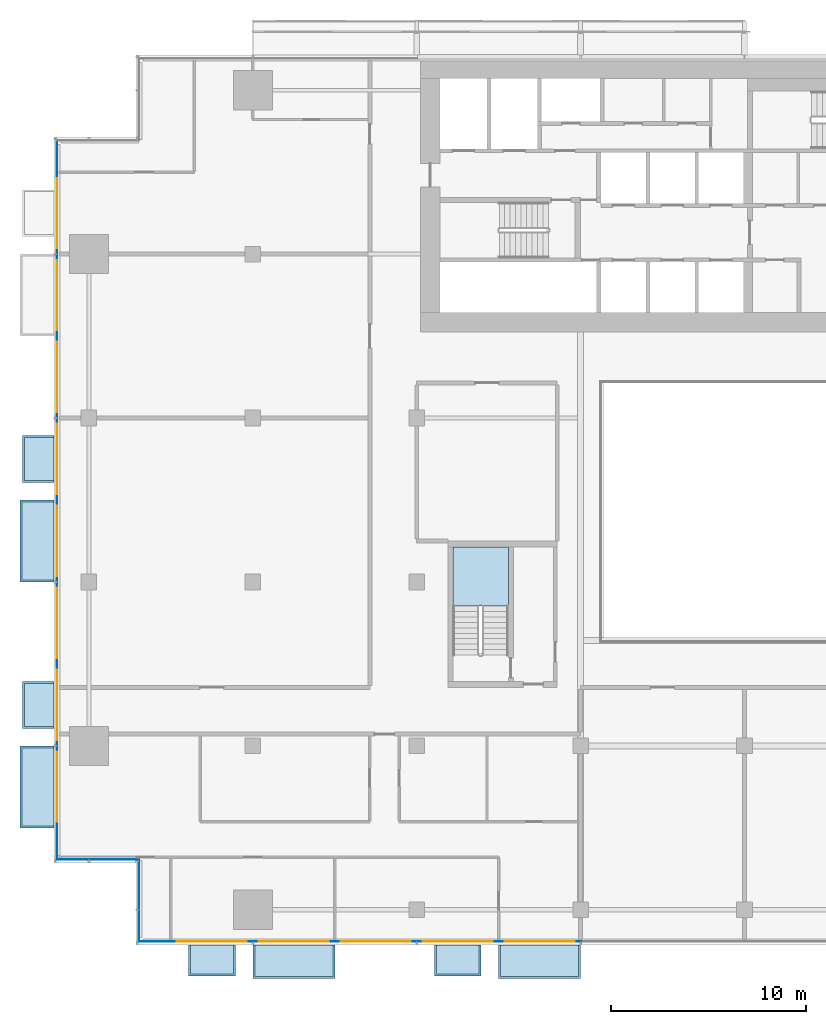
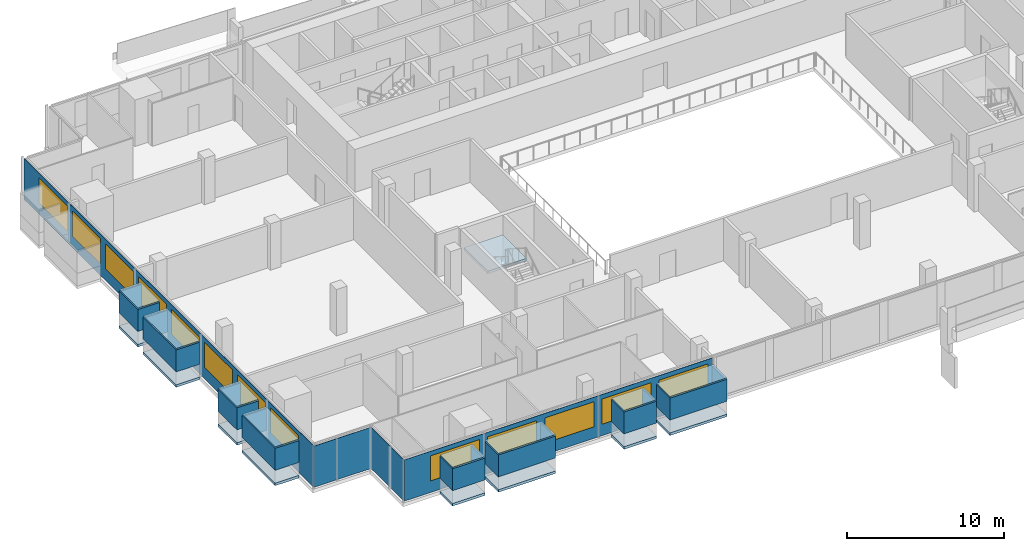
# One storey, part 14 of 26: 20 plates, 13 windows, 9 slabs, 13 openings, 5 elements without a shape of their own.
"""IFC4 building model written with IfcOpenShell, lengths in metres."""

from ifc_helpers import new_model, si_unit, direction, frame, frame_2d, origin, place, context, subcontext, project, spatial, polyline, rectangle, outline, extrude, material, layer, layer_set, type_object, element, fill, aggregate, save


model = new_model("IFC4")

# Units and contexts
model_context = context("Model", 3, precision=1e-05, world=origin(), true_north=direction((0.0, 1.0)))
body_context = subcontext(model_context, "Body", "Model", "MODEL_VIEW")
ifc_project = project(units=[si_unit("LENGTHUNIT", "METRE"), si_unit("AREAUNIT", "SQUARE_METRE"), si_unit("VOLUMEUNIT", "CUBIC_METRE"), si_unit("PLANEANGLEUNIT", "RADIAN"), si_unit("MASSUNIT", "GRAM", prefix="KILO")], contexts=[model_context])

# Site, building, storey
site_placement = place(None, origin())
site = spatial("IfcSite", under=ifc_project, at=site_placement, CompositionType="ELEMENT")
building_placement = place(site_placement, origin())
building = spatial("IfcBuilding", under=site, at=building_placement, Name="Saffron Gate Tower", CompositionType="ELEMENT")
storey_placement = place(building_placement, frame((0.0, 0.0, 102.449951171875)))
storey = spatial("IfcBuildingStorey", under=building, at=storey_placement, Name="L23", CompositionType="ELEMENT", Elevation=102.449951171875)

# Curtain wall, plate, openings, windows
ifc_material_1 = material(Name="Aluminium, bronze anodised", Category="aluminium")
curtain_wall_type_1 = type_object("IfcCurtainWallType", Name="CWS1 curtain wall front facade", PredefinedType="NOTDEFINED", material=ifc_material_1)
curtain_wall_1_placement = place(storey_placement, origin())
curtain_wall_1 = element("IfcCurtainWall", 1, at=curtain_wall_1_placement, inside=storey, type_object=curtain_wall_type_1, Name="CWS1 run 1", PredefinedType="NOTDEFINED")
ifc_material_2 = material(Name="Fritted bronze-tinted laminated glass", Category="glass")
ifc_layer_1 = layer(ifc_material_2, 0.028076171875)
ifc_layer_set_1 = layer_set([ifc_layer_1], Name="CWS1 fixed glass")
plate_type_1 = type_object("IfcPlateType", Name="CWS1 fixed glass", PredefinedType="CURTAIN_PANEL", material=ifc_layer_set_1)
plate_1_placement = place(storey_placement, frame((52.387939453125, 30.174072265625, 0.0), z_axis=(0.0, 0.0, 1.0), x_axis=(1.0, 0.0, 0.0)))
plate_1 = element("IfcPlate", 2, at=plate_1_placement, type_object=plate_type_1, Name="CWS1 glass panel", PredefinedType="CURTAIN_PANEL", context=body_context, shape_type="SweptSolid", body=[
    extrude(rectangle(XDim=22.64208984375, YDim=0.028076171875, at=frame_2d((11.321044921875, 0.0))), origin(), (0.0, 0.0, 1.0), 3.199951171875),
])
opening_1_placement = place(plate_1_placement, frame((1.912109375, 0.0, 0.89990234375)))
opening_1 = element("IfcOpeningElement", 3, at=opening_1_placement, cuts=plate_1, Name="Opening W1", PredefinedType="OPENING", context=body_context, shape_type="SweptSolid", body=[
    extrude(rectangle(XDim=3.60009765625, YDim=1.949951171875, at=frame_2d((1.800048828125, 0.97509765625))), frame((0.0, 0.02392578125, 0.0), z_axis=(0.0, -1.0, 0.0), x_axis=(1.0, 0.0, 0.0)), (0.0, 0.0, 1.0), 0.048095703125),
])
opening_2_placement = place(plate_1_placement, frame((6.112060546875, 0.0, 0.89990234375)))
opening_2 = element("IfcOpeningElement", 4, at=opening_2_placement, cuts=plate_1, Name="Opening W1", PredefinedType="OPENING", context=body_context, shape_type="SweptSolid", body=[
    extrude(rectangle(XDim=3.60009765625, YDim=1.949951171875, at=frame_2d((1.800048828125, 0.97509765625))), frame((0.0, 0.02392578125, 0.0), z_axis=(0.0, -1.0, 0.0), x_axis=(1.0, 0.0, 0.0)), (0.0, 0.0, 1.0), 0.048095703125),
])
opening_3_placement = place(plate_1_placement, frame((10.31201171875, 0.0, 0.89990234375)))
opening_3 = element("IfcOpeningElement", 5, at=opening_3_placement, cuts=plate_1, Name="Opening W1", PredefinedType="OPENING", context=body_context, shape_type="SweptSolid", body=[
    extrude(rectangle(XDim=3.60009765625, YDim=1.949951171875, at=frame_2d((1.800048828125, 0.97509765625))), frame((0.0, 0.02392578125, 0.0), z_axis=(0.0, -1.0, 0.0), x_axis=(1.0, 0.0, 0.0)), (0.0, 0.0, 1.0), 0.048095703125),
])
opening_4_placement = place(plate_1_placement, frame((14.511962890625, 0.0, 0.89990234375)))
opening_4 = element("IfcOpeningElement", 6, at=opening_4_placement, cuts=plate_1, Name="Opening W1", PredefinedType="OPENING", context=body_context, shape_type="SweptSolid", body=[
    extrude(rectangle(XDim=3.60009765625, YDim=1.949951171875, at=frame_2d((1.800048828125, 0.97509765625))), frame((0.0, 0.02392578125, 0.0), z_axis=(0.0, -1.0, 0.0), x_axis=(1.0, 0.0, 0.0)), (0.0, 0.0, 1.0), 0.048095703125),
])
opening_5_placement = place(plate_1_placement, frame((18.7119140625, 0.0, 0.89990234375)))
opening_5 = element("IfcOpeningElement", 7, at=opening_5_placement, cuts=plate_1, Name="Opening W1", PredefinedType="OPENING", context=body_context, shape_type="SweptSolid", body=[
    extrude(rectangle(XDim=3.60009765625, YDim=1.949951171875, at=frame_2d((1.800048828125, 0.97509765625))), frame((0.0, 0.02392578125, 0.0), z_axis=(0.0, -1.0, 0.0), x_axis=(1.0, 0.0, 0.0)), (0.0, 0.0, 1.0), 0.048095703125),
])
ifc_material_3 = material(Name="Fritted bronze-tinted laminated glass in bronze frame", Category="glass")
ifc_layer_2 = layer(ifc_material_3, 0.06005859375)
ifc_layer_set_2 = layer_set([ifc_layer_2], Name="W1 operable panel 3600x1950")
window_type = type_object("IfcWindowType", Name="W1 operable panel 3600x1950", PartitioningType="DOUBLE_PANEL_HORIZONTAL", PredefinedType="WINDOW", material=ifc_layer_set_2)
window_1_placement = place(opening_1_placement, origin())
window_1 = element("IfcWindow", 8, at=window_1_placement, type_object=window_type, Name="W1 operable panel", OverallHeight=1.949951171875, OverallWidth=3.60009765625, PartitioningType="SINGLE_PANEL", PredefinedType="WINDOW", context=body_context, shape_type="SweptSolid", body=[
    extrude(rectangle(XDim=3.60009765625, YDim=1.949951171875, at=frame_2d((1.800048828125, 0.97509765625))), frame((0.0, 0.013671875, 0.0), z_axis=(0.0, -1.0, 0.0), x_axis=(1.0, 0.0, 0.0)), (0.0, 0.0, 1.0), 0.027587890625),
])
fill(opening_1, window_1)
window_2_placement = place(opening_2_placement, origin())
window_2 = element("IfcWindow", 9, at=window_2_placement, type_object=window_type, Name="W1 operable panel", OverallHeight=1.949951171875, OverallWidth=3.60009765625, PartitioningType="SINGLE_PANEL", PredefinedType="WINDOW", context=body_context, shape_type="SweptSolid", body=[
    extrude(rectangle(XDim=3.60009765625, YDim=1.949951171875, at=frame_2d((1.800048828125, 0.97509765625))), frame((0.0, 0.013671875, 0.0), z_axis=(0.0, -1.0, 0.0), x_axis=(1.0, 0.0, 0.0)), (0.0, 0.0, 1.0), 0.027587890625),
])
fill(opening_2, window_2)
window_3_placement = place(opening_3_placement, origin())
window_3 = element("IfcWindow", 10, at=window_3_placement, type_object=window_type, Name="W1 operable panel", OverallHeight=1.949951171875, OverallWidth=3.60009765625, PartitioningType="SINGLE_PANEL", PredefinedType="WINDOW", context=body_context, shape_type="SweptSolid", body=[
    extrude(rectangle(XDim=3.60009765625, YDim=1.949951171875, at=frame_2d((1.800048828125, 0.97509765625))), frame((0.0, 0.013671875, 0.0), z_axis=(0.0, -1.0, 0.0), x_axis=(1.0, 0.0, 0.0)), (0.0, 0.0, 1.0), 0.027587890625),
])
fill(opening_3, window_3)
window_4_placement = place(opening_4_placement, origin())
window_4 = element("IfcWindow", 11, at=window_4_placement, type_object=window_type, Name="W1 operable panel", OverallHeight=1.949951171875, OverallWidth=3.60009765625, PartitioningType="SINGLE_PANEL", PredefinedType="WINDOW", context=body_context, shape_type="SweptSolid", body=[
    extrude(rectangle(XDim=3.60009765625, YDim=1.949951171875, at=frame_2d((1.800048828125, 0.97509765625))), frame((0.0, 0.013671875, 0.0), z_axis=(0.0, -1.0, 0.0), x_axis=(1.0, 0.0, 0.0)), (0.0, 0.0, 1.0), 0.027587890625),
])
fill(opening_4, window_4)
window_5_placement = place(opening_5_placement, origin())
window_5 = element("IfcWindow", 12, at=window_5_placement, type_object=window_type, Name="W1 operable panel", OverallHeight=1.949951171875, OverallWidth=3.60009765625, PartitioningType="SINGLE_PANEL", PredefinedType="WINDOW", context=body_context, shape_type="SweptSolid", body=[
    extrude(rectangle(XDim=3.60009765625, YDim=1.949951171875, at=frame_2d((1.800048828125, 0.97509765625))), frame((0.0, 0.013671875, 0.0), z_axis=(0.0, -1.0, 0.0), x_axis=(1.0, 0.0, 0.0)), (0.0, 0.0, 1.0), 0.027587890625),
])
fill(opening_5, window_5)
aggregate(curtain_wall_1, [plate_1, window_1, window_2, window_3, window_4, window_5])

curtain_wall_type_2 = type_object("IfcCurtainWallType", Name="CWS2 curtain wall side facades", PredefinedType="NOTDEFINED", material=ifc_material_1)
curtain_wall_2_placement = place(storey_placement, origin())
curtain_wall_2 = element("IfcCurtainWall", 13, at=curtain_wall_2_placement, inside=storey, type_object=curtain_wall_type_2, Name="CWS2 run 10", PredefinedType="NOTDEFINED")
ifc_layer_3 = layer(ifc_material_2, 0.028076171875)
ifc_layer_set_3 = layer_set([ifc_layer_3], Name="CWS2 fixed glass")
plate_type_2 = type_object("IfcPlateType", Name="CWS2 fixed glass", PredefinedType="CURTAIN_PANEL", material=ifc_layer_set_3)
plate_2_placement = place(storey_placement, frame((48.174072265625, 71.2119140625, 0.0), z_axis=(0.0, 0.0, 1.0), x_axis=(0.0, -1.0, 0.0)))
plate_2 = element("IfcPlate", 14, at=plate_2_placement, type_object=plate_type_2, Name="CWS2 glass panel", PredefinedType="CURTAIN_PANEL", context=body_context, shape_type="SweptSolid", body=[
    extrude(rectangle(XDim=36.823974609375, YDim=0.028076171875, at=frame_2d((18.412109375, 0.0))), origin(), (0.0, 0.0, 1.0), 3.199951171875),
])
opening_6_placement = place(plate_2_placement, frame((1.912109375, 0.0, 0.89990234375)))
opening_6 = element("IfcOpeningElement", 15, at=opening_6_placement, cuts=plate_2, Name="Opening W1", PredefinedType="OPENING", context=body_context, shape_type="SweptSolid", body=[
    extrude(rectangle(XDim=3.60009765625, YDim=1.949951171875, at=frame_2d((1.800048828125, 0.97509765625))), frame((0.0, 0.02392578125, 0.0), z_axis=(0.0, -1.0, 0.0), x_axis=(1.0, 0.0, 0.0)), (0.0, 0.0, 1.0), 0.048095703125),
])
opening_7_placement = place(plate_2_placement, frame((6.112060546875, 0.0, 0.89990234375)))
opening_7 = element("IfcOpeningElement", 16, at=opening_7_placement, cuts=plate_2, Name="Opening W1", PredefinedType="OPENING", context=body_context, shape_type="SweptSolid", body=[
    extrude(rectangle(XDim=3.60009765625, YDim=1.949951171875, at=frame_2d((1.800048828125, 0.97509765625))), frame((0.0, 0.02392578125, 0.0), z_axis=(0.0, -1.0, 0.0), x_axis=(1.0, 0.0, 0.0)), (0.0, 0.0, 1.0), 0.048095703125),
])
opening_8_placement = place(plate_2_placement, frame((10.31201171875, 0.0, 0.89990234375)))
opening_8 = element("IfcOpeningElement", 17, at=opening_8_placement, cuts=plate_2, Name="Opening W1", PredefinedType="OPENING", context=body_context, shape_type="SweptSolid", body=[
    extrude(rectangle(XDim=3.60009765625, YDim=1.949951171875, at=frame_2d((1.800048828125, 0.97509765625))), frame((0.0, 0.02392578125, 0.0), z_axis=(0.0, -1.0, 0.0), x_axis=(1.0, 0.0, 0.0)), (0.0, 0.0, 1.0), 0.048095703125),
])
opening_9_placement = place(plate_2_placement, frame((14.511962890625, 0.0, 0.89990234375)))
opening_9 = element("IfcOpeningElement", 18, at=opening_9_placement, cuts=plate_2, Name="Opening W1", PredefinedType="OPENING", context=body_context, shape_type="SweptSolid", body=[
    extrude(rectangle(XDim=3.60009765625, YDim=1.949951171875, at=frame_2d((1.800048828125, 0.97509765625))), frame((0.0, 0.02392578125, 0.0), z_axis=(0.0, -1.0, 0.0), x_axis=(1.0, 0.0, 0.0)), (0.0, 0.0, 1.0), 0.048095703125),
])
opening_10_placement = place(plate_2_placement, frame((18.7119140625, 0.0, 0.89990234375)))
opening_10 = element("IfcOpeningElement", 19, at=opening_10_placement, cuts=plate_2, Name="Opening W1", PredefinedType="OPENING", context=body_context, shape_type="SweptSolid", body=[
    extrude(rectangle(XDim=3.60009765625, YDim=1.949951171875, at=frame_2d((1.800048828125, 0.97509765625))), frame((0.0, 0.02392578125, 0.0), z_axis=(0.0, -1.0, 0.0), x_axis=(1.0, 0.0, 0.0)), (0.0, 0.0, 1.0), 0.048095703125),
])
opening_11_placement = place(plate_2_placement, frame((22.912109375, 0.0, 0.89990234375)))
opening_11 = element("IfcOpeningElement", 20, at=opening_11_placement, cuts=plate_2, Name="Opening W1", PredefinedType="OPENING", context=body_context, shape_type="SweptSolid", body=[
    extrude(rectangle(XDim=3.60009765625, YDim=1.949951171875, at=frame_2d((1.800048828125, 0.97509765625))), frame((0.0, 0.02392578125, 0.0), z_axis=(0.0, -1.0, 0.0), x_axis=(1.0, 0.0, 0.0)), (0.0, 0.0, 1.0), 0.048095703125),
])
opening_12_placement = place(plate_2_placement, frame((27.112060546875, 0.0, 0.89990234375)))
opening_12 = element("IfcOpeningElement", 21, at=opening_12_placement, cuts=plate_2, Name="Opening W1", PredefinedType="OPENING", context=body_context, shape_type="SweptSolid", body=[
    extrude(rectangle(XDim=3.60009765625, YDim=1.949951171875, at=frame_2d((1.800048828125, 0.97509765625))), frame((0.0, 0.02392578125, 0.0), z_axis=(0.0, -1.0, 0.0), x_axis=(1.0, 0.0, 0.0)), (0.0, 0.0, 1.0), 0.048095703125),
])
opening_13_placement = place(plate_2_placement, frame((31.31201171875, 0.0, 0.89990234375)))
opening_13 = element("IfcOpeningElement", 22, at=opening_13_placement, cuts=plate_2, Name="Opening W1", PredefinedType="OPENING", context=body_context, shape_type="SweptSolid", body=[
    extrude(rectangle(XDim=3.60009765625, YDim=1.949951171875, at=frame_2d((1.800048828125, 0.97509765625))), frame((0.0, 0.02392578125, 0.0), z_axis=(0.0, -1.0, 0.0), x_axis=(1.0, 0.0, 0.0)), (0.0, 0.0, 1.0), 0.048095703125),
])
window_6_placement = place(opening_6_placement, origin())
window_6 = element("IfcWindow", 23, at=window_6_placement, type_object=window_type, Name="W1 operable panel", OverallHeight=1.949951171875, OverallWidth=3.60009765625, PartitioningType="SINGLE_PANEL", PredefinedType="WINDOW", context=body_context, shape_type="SweptSolid", body=[
    extrude(rectangle(XDim=3.60009765625, YDim=1.949951171875, at=frame_2d((1.800048828125, 0.97509765625))), frame((0.0, 0.013671875, 0.0), z_axis=(0.0, -1.0, 0.0), x_axis=(1.0, 0.0, 0.0)), (0.0, 0.0, 1.0), 0.027587890625),
])
fill(opening_6, window_6)
window_7_placement = place(opening_7_placement, origin())
window_7 = element("IfcWindow", 24, at=window_7_placement, type_object=window_type, Name="W1 operable panel", OverallHeight=1.949951171875, OverallWidth=3.60009765625, PartitioningType="SINGLE_PANEL", PredefinedType="WINDOW", context=body_context, shape_type="SweptSolid", body=[
    extrude(rectangle(XDim=3.60009765625, YDim=1.949951171875, at=frame_2d((1.800048828125, 0.97509765625))), frame((0.0, 0.013671875, 0.0), z_axis=(0.0, -1.0, 0.0), x_axis=(1.0, 0.0, 0.0)), (0.0, 0.0, 1.0), 0.027587890625),
])
fill(opening_7, window_7)
window_8_placement = place(opening_8_placement, origin())
window_8 = element("IfcWindow", 25, at=window_8_placement, type_object=window_type, Name="W1 operable panel", OverallHeight=1.949951171875, OverallWidth=3.60009765625, PartitioningType="SINGLE_PANEL", PredefinedType="WINDOW", context=body_context, shape_type="SweptSolid", body=[
    extrude(rectangle(XDim=3.60009765625, YDim=1.949951171875, at=frame_2d((1.800048828125, 0.97509765625))), frame((0.0, 0.013671875, 0.0), z_axis=(0.0, -1.0, 0.0), x_axis=(1.0, 0.0, 0.0)), (0.0, 0.0, 1.0), 0.027587890625),
])
fill(opening_8, window_8)
window_9_placement = place(opening_9_placement, origin())
window_9 = element("IfcWindow", 26, at=window_9_placement, type_object=window_type, Name="W1 operable panel", OverallHeight=1.949951171875, OverallWidth=3.60009765625, PartitioningType="SINGLE_PANEL", PredefinedType="WINDOW", context=body_context, shape_type="SweptSolid", body=[
    extrude(rectangle(XDim=3.60009765625, YDim=1.949951171875, at=frame_2d((1.800048828125, 0.97509765625))), frame((0.0, 0.013671875, 0.0), z_axis=(0.0, -1.0, 0.0), x_axis=(1.0, 0.0, 0.0)), (0.0, 0.0, 1.0), 0.027587890625),
])
fill(opening_9, window_9)
window_10_placement = place(opening_10_placement, origin())
window_10 = element("IfcWindow", 27, at=window_10_placement, type_object=window_type, Name="W1 operable panel", OverallHeight=1.949951171875, OverallWidth=3.60009765625, PartitioningType="SINGLE_PANEL", PredefinedType="WINDOW", context=body_context, shape_type="SweptSolid", body=[
    extrude(rectangle(XDim=3.60009765625, YDim=1.949951171875, at=frame_2d((1.800048828125, 0.97509765625))), frame((0.0, 0.013671875, 0.0), z_axis=(0.0, -1.0, 0.0), x_axis=(1.0, 0.0, 0.0)), (0.0, 0.0, 1.0), 0.027587890625),
])
fill(opening_10, window_10)
window_11_placement = place(opening_11_placement, origin())
window_11 = element("IfcWindow", 28, at=window_11_placement, type_object=window_type, Name="W1 operable panel", OverallHeight=1.949951171875, OverallWidth=3.60009765625, PartitioningType="SINGLE_PANEL", PredefinedType="WINDOW", context=body_context, shape_type="SweptSolid", body=[
    extrude(rectangle(XDim=3.60009765625, YDim=1.949951171875, at=frame_2d((1.800048828125, 0.97509765625))), frame((0.0, 0.013671875, 0.0), z_axis=(0.0, -1.0, 0.0), x_axis=(1.0, 0.0, 0.0)), (0.0, 0.0, 1.0), 0.027587890625),
])
fill(opening_11, window_11)
window_12_placement = place(opening_12_placement, origin())
window_12 = element("IfcWindow", 29, at=window_12_placement, type_object=window_type, Name="W1 operable panel", OverallHeight=1.949951171875, OverallWidth=3.60009765625, PartitioningType="SINGLE_PANEL", PredefinedType="WINDOW", context=body_context, shape_type="SweptSolid", body=[
    extrude(rectangle(XDim=3.60009765625, YDim=1.949951171875, at=frame_2d((1.800048828125, 0.97509765625))), frame((0.0, 0.013671875, 0.0), z_axis=(0.0, -1.0, 0.0), x_axis=(1.0, 0.0, 0.0)), (0.0, 0.0, 1.0), 0.027587890625),
])
fill(opening_12, window_12)
window_13_placement = place(opening_13_placement, origin())
window_13 = element("IfcWindow", 30, at=window_13_placement, type_object=window_type, Name="W1 operable panel", OverallHeight=1.949951171875, OverallWidth=3.60009765625, PartitioningType="SINGLE_PANEL", PredefinedType="WINDOW", context=body_context, shape_type="SweptSolid", body=[
    extrude(rectangle(XDim=3.60009765625, YDim=1.949951171875, at=frame_2d((1.800048828125, 0.97509765625))), frame((0.0, 0.013671875, 0.0), z_axis=(0.0, -1.0, 0.0), x_axis=(1.0, 0.0, 0.0)), (0.0, 0.0, 1.0), 0.027587890625),
])
fill(opening_13, window_13)
aggregate(curtain_wall_2, [plate_2, window_6, window_7, window_8, window_9, window_10, window_11, window_12, window_13])

# Curtain wall, plate
curtain_wall_type_3 = type_object("IfcCurtainWallType", Name="CWS4 curtain wall corner returns", PredefinedType="NOTDEFINED", material=ifc_material_1)
curtain_wall_3_placement = place(storey_placement, origin())
curtain_wall_3 = element("IfcCurtainWall", 31, at=curtain_wall_3_placement, inside=storey, type_object=curtain_wall_type_3, Name="CWS4 run 11", PredefinedType="NOTDEFINED")
ifc_layer_4 = layer(ifc_material_2, 0.028076171875)
ifc_layer_set_4 = layer_set([ifc_layer_4], Name="CWS4 fixed glass")
plate_type_3 = type_object("IfcPlateType", Name="CWS4 fixed glass", PredefinedType="CURTAIN_PANEL", material=ifc_layer_set_4)
plate_3_placement = place(storey_placement, frame((48.18798828125, 34.3740234375, 0.0), z_axis=(0.0, 0.0, 1.0), x_axis=(1.0, 0.0, 0.0)))
plate_3 = element("IfcPlate", 32, at=plate_3_placement, type_object=plate_type_3, Name="CWS4 glass panel", PredefinedType="CURTAIN_PANEL", context=body_context, shape_type="SweptSolid", body=[
    extrude(rectangle(XDim=4.172119140625, YDim=0.028076171875, at=frame_2d((2.0859375, 0.0))), origin(), (0.0, 0.0, 1.0), 3.199951171875),
])
aggregate(curtain_wall_3, [plate_3])

curtain_wall_4_placement = place(storey_placement, origin())
curtain_wall_4 = element("IfcCurtainWall", 33, at=curtain_wall_4_placement, inside=storey, type_object=curtain_wall_type_3, Name="CWS4 run 12", PredefinedType="NOTDEFINED")
plate_4_placement = place(storey_placement, frame((52.3740234375, 34.360107421875, 0.0), z_axis=(0.0, 0.0, 1.0), x_axis=(0.0, -1.0, 0.0)))
plate_4 = element("IfcPlate", 34, at=plate_4_placement, type_object=plate_type_3, Name="CWS4 glass panel", PredefinedType="CURTAIN_PANEL", context=body_context, shape_type="SweptSolid", body=[
    extrude(rectangle(XDim=4.172119140625, YDim=0.028076171875, at=frame_2d((2.0859375, 0.0))), origin(), (0.0, 0.0, 1.0), 3.199951171875),
])
aggregate(curtain_wall_4, [plate_4])

# Stair, slab
ifc_material_4 = material(Name="Concrete C40", Category="concrete")
stair_type = type_object("IfcStairType", Name="ST7 Stair 1350 wide, 20 risers of 180", PredefinedType="HALF_TURN_STAIR", material=ifc_material_4)
stair_placement = place(storey_placement, origin())
stair = element("IfcStair", 35, at=stair_placement, inside=storey, type_object=stair_type, Name="L23 Exit stair D", PredefinedType="HALF_TURN_STAIR")
ifc_layer_5 = layer(ifc_material_4, 0.199951171875)
ifc_layer_set_5 = layer_set([ifc_layer_5], Name="SL1 Stair landing 200")
slab_type_1 = type_object("IfcSlabType", Name="SL1 Stair landing 200", PredefinedType="LANDING", material=ifc_layer_set_5)
slab_1_placement = place(storey_placement, frame((0.0, 0.0, 1.60009765625)))
slab_1 = element("IfcSlab", 36, at=slab_1_placement, type_object=slab_type_1, Name="ST-D landing 1", PredefinedType="LANDING", context=body_context, shape_type="SweptSolid", body=[
    extrude(outline(polyline([(71.300048828125, 47.3701171875), (71.300048828125, 50.39990234375), (68.449951171875, 50.39990234375), (68.449951171875, 47.3701171875), (71.300048828125, 47.3701171875)])), origin(), (0.0, 0.0, 1.0), 0.199951171875),
])
aggregate(stair, [slab_1])

# Slabs
ifc_material_5 = material(Name="Timber deck on bronze frame", Category="wood")
ifc_layer_6 = layer(ifc_material_5, 0.199951171875)
ifc_layer_set_6 = layer_set([ifc_layer_6], Name="WB1 box floor")
slab_type_2 = type_object("IfcSlabType", Name="WB1 box floor", PredefinedType="FLOOR", material=ifc_layer_set_6)
slab_2_placement = place(storey_placement, frame((0.0, 0.0, -0.199951171875)))
element("IfcSlab", 37, at=slab_2_placement, inside=storey, type_object=slab_type_2, Name="WINDOW BOX floor", PredefinedType="FLOOR", context=body_context, shape_type="SweptSolid", body=[
    extrude(outline(polyline([(54.89990234375, 30.0), (57.300048828125, 30.0), (57.300048828125, 28.39990234375), (54.89990234375, 28.39990234375), (54.89990234375, 30.0)])), origin(), (0.0, 0.0, 1.0), 0.199951171875),
])
slab_3_placement = place(storey_placement, frame((0.0, 0.0, -0.199951171875)))
element("IfcSlab", 38, at=slab_3_placement, inside=storey, type_object=slab_type_2, Name="WINDOW BOX floor", PredefinedType="FLOOR", context=body_context, shape_type="SweptSolid", body=[
    extrude(outline(polyline([(58.199951171875, 30.0), (62.39990234375, 30.0), (62.39990234375, 28.26708984375), (58.199951171875, 28.26708984375), (58.199951171875, 30.0)])), origin(), (0.0, 0.0, 1.0), 0.199951171875),
])
slab_4_placement = place(storey_placement, frame((0.0, 0.0, -0.199951171875)))
element("IfcSlab", 39, at=slab_4_placement, inside=storey, type_object=slab_type_2, Name="WINDOW BOX floor", PredefinedType="FLOOR", context=body_context, shape_type="SweptSolid", body=[
    extrude(outline(polyline([(67.5, 30.0), (69.89990234375, 30.0), (69.89990234375, 28.39990234375), (67.5, 28.39990234375), (67.5, 30.0)])), origin(), (0.0, 0.0, 1.0), 0.199951171875),
])
slab_5_placement = place(storey_placement, frame((0.0, 0.0, -0.199951171875)))
element("IfcSlab", 40, at=slab_5_placement, inside=storey, type_object=slab_type_2, Name="WINDOW BOX floor", PredefinedType="FLOOR", context=body_context, shape_type="SweptSolid", body=[
    extrude(outline(polyline([(70.800048828125, 30.0), (75.0, 30.0), (75.0, 28.26708984375), (70.800048828125, 28.26708984375), (70.800048828125, 30.0)])), origin(), (0.0, 0.0, 1.0), 0.199951171875),
])
slab_6_placement = place(storey_placement, frame((0.0, 0.0, -0.199951171875)))
element("IfcSlab", 41, at=slab_6_placement, inside=storey, type_object=slab_type_2, Name="WINDOW BOX floor", PredefinedType="FLOOR", context=body_context, shape_type="SweptSolid", body=[
    extrude(outline(polyline([(48.0, 56.10009765625), (48.0, 53.699951171875), (46.39990234375, 53.699951171875), (46.39990234375, 56.10009765625), (48.0, 56.10009765625)])), origin(), (0.0, 0.0, 1.0), 0.199951171875),
])
slab_7_placement = place(storey_placement, frame((0.0, 0.0, -0.199951171875)))
element("IfcSlab", 42, at=slab_7_placement, inside=storey, type_object=slab_type_2, Name="WINDOW BOX floor", PredefinedType="FLOOR", context=body_context, shape_type="SweptSolid", body=[
    extrude(outline(polyline([(48.0, 52.800048828125), (48.0, 48.60009765625), (46.26708984375, 48.60009765625), (46.26708984375, 52.800048828125), (48.0, 52.800048828125)])), origin(), (0.0, 0.0, 1.0), 0.199951171875),
])
slab_8_placement = place(storey_placement, frame((0.0, 0.0, -0.199951171875)))
element("IfcSlab", 43, at=slab_8_placement, inside=storey, type_object=slab_type_2, Name="WINDOW BOX floor", PredefinedType="FLOOR", context=body_context, shape_type="SweptSolid", body=[
    extrude(outline(polyline([(48.0, 43.5), (48.0, 41.10009765625), (46.39990234375, 41.10009765625), (46.39990234375, 43.5), (48.0, 43.5)])), origin(), (0.0, 0.0, 1.0), 0.199951171875),
])
slab_9_placement = place(storey_placement, frame((0.0, 0.0, -0.199951171875)))
element("IfcSlab", 44, at=slab_9_placement, inside=storey, type_object=slab_type_2, Name="WINDOW BOX floor", PredefinedType="FLOOR", context=body_context, shape_type="SweptSolid", body=[
    extrude(outline(polyline([(48.0, 40.199951171875), (48.0, 36.0), (46.26708984375, 36.0), (46.26708984375, 40.199951171875), (48.0, 40.199951171875)])), origin(), (0.0, 0.0, 1.0), 0.199951171875),
])

# Plates
ifc_layer_7 = layer(ifc_material_1, 0.1201171875)
ifc_layer_set_7 = layer_set([ifc_layer_7], Name="WB2 box roof")
plate_type_4 = type_object("IfcPlateType", Name="WB2 box roof", PredefinedType="SHEET", material=ifc_layer_set_7)
plate_5_placement = place(storey_placement, frame((0.0, 0.0, 2.699951171875)))
element("IfcPlate", 45, at=plate_5_placement, inside=storey, type_object=plate_type_4, Name="WINDOW BOX roof", PredefinedType="SHEET", context=body_context, shape_type="SweptSolid", body=[
    extrude(outline(polyline([(54.89990234375, 30.0), (57.300048828125, 30.0), (57.300048828125, 28.39990234375), (54.89990234375, 28.39990234375), (54.89990234375, 30.0)])), origin(), (0.0, 0.0, 1.0), 0.1201171875),
])
plate_6_placement = place(storey_placement, frame((0.0, 0.0, 2.699951171875)))
element("IfcPlate", 46, at=plate_6_placement, inside=storey, type_object=plate_type_4, Name="WINDOW BOX roof", PredefinedType="SHEET", context=body_context, shape_type="SweptSolid", body=[
    extrude(outline(polyline([(58.199951171875, 30.0), (62.39990234375, 30.0), (62.39990234375, 28.26708984375), (58.199951171875, 28.26708984375), (58.199951171875, 30.0)])), origin(), (0.0, 0.0, 1.0), 0.1201171875),
])
plate_7_placement = place(storey_placement, frame((0.0, 0.0, 2.699951171875)))
element("IfcPlate", 47, at=plate_7_placement, inside=storey, type_object=plate_type_4, Name="WINDOW BOX roof", PredefinedType="SHEET", context=body_context, shape_type="SweptSolid", body=[
    extrude(outline(polyline([(67.5, 30.0), (69.89990234375, 30.0), (69.89990234375, 28.39990234375), (67.5, 28.39990234375), (67.5, 30.0)])), origin(), (0.0, 0.0, 1.0), 0.1201171875),
])
plate_8_placement = place(storey_placement, frame((0.0, 0.0, 2.699951171875)))
element("IfcPlate", 48, at=plate_8_placement, inside=storey, type_object=plate_type_4, Name="WINDOW BOX roof", PredefinedType="SHEET", context=body_context, shape_type="SweptSolid", body=[
    extrude(outline(polyline([(70.800048828125, 30.0), (75.0, 30.0), (75.0, 28.26708984375), (70.800048828125, 28.26708984375), (70.800048828125, 30.0)])), origin(), (0.0, 0.0, 1.0), 0.1201171875),
])
plate_9_placement = place(storey_placement, frame((0.0, 0.0, 2.699951171875)))
element("IfcPlate", 49, at=plate_9_placement, inside=storey, type_object=plate_type_4, Name="WINDOW BOX roof", PredefinedType="SHEET", context=body_context, shape_type="SweptSolid", body=[
    extrude(outline(polyline([(48.0, 56.10009765625), (48.0, 53.699951171875), (46.39990234375, 53.699951171875), (46.39990234375, 56.10009765625), (48.0, 56.10009765625)])), origin(), (0.0, 0.0, 1.0), 0.1201171875),
])
plate_10_placement = place(storey_placement, frame((0.0, 0.0, 2.699951171875)))
element("IfcPlate", 50, at=plate_10_placement, inside=storey, type_object=plate_type_4, Name="WINDOW BOX roof", PredefinedType="SHEET", context=body_context, shape_type="SweptSolid", body=[
    extrude(outline(polyline([(48.0, 52.800048828125), (48.0, 48.60009765625), (46.26708984375, 48.60009765625), (46.26708984375, 52.800048828125), (48.0, 52.800048828125)])), origin(), (0.0, 0.0, 1.0), 0.1201171875),
])
plate_11_placement = place(storey_placement, frame((0.0, 0.0, 2.699951171875)))
element("IfcPlate", 51, at=plate_11_placement, inside=storey, type_object=plate_type_4, Name="WINDOW BOX roof", PredefinedType="SHEET", context=body_context, shape_type="SweptSolid", body=[
    extrude(outline(polyline([(48.0, 43.5), (48.0, 41.10009765625), (46.39990234375, 41.10009765625), (46.39990234375, 43.5), (48.0, 43.5)])), origin(), (0.0, 0.0, 1.0), 0.1201171875),
])
plate_12_placement = place(storey_placement, frame((0.0, 0.0, 2.699951171875)))
element("IfcPlate", 52, at=plate_12_placement, inside=storey, type_object=plate_type_4, Name="WINDOW BOX roof", PredefinedType="SHEET", context=body_context, shape_type="SweptSolid", body=[
    extrude(outline(polyline([(48.0, 40.199951171875), (48.0, 36.0), (46.26708984375, 36.0), (46.26708984375, 40.199951171875), (48.0, 40.199951171875)])), origin(), (0.0, 0.0, 1.0), 0.1201171875),
])
ifc_material_6 = material(Name="Clear low-iron laminated glass", Category="glass")
ifc_layer_8 = layer(ifc_material_6, 0.10009765625)
ifc_layer_set_8 = layer_set([ifc_layer_8], Name="WB6 box glazing")
plate_type_5 = type_object("IfcPlateType", Name="WB6 box glazing", PredefinedType="SHEET", material=ifc_layer_set_8)
plate_13_placement = place(storey_placement, frame((0.0, 0.0, 1.0)))
element("IfcPlate", 53, at=plate_13_placement, inside=storey, type_object=plate_type_5, Name="WINDOW BOX glazing", PredefinedType="SHEET", context=body_context, shape_type="SweptSolid", body=[
    extrude(outline(polyline([(54.89990234375, 30.0), (55.0, 30.0), (55.0, 28.5), (57.199951171875, 28.5), (57.199951171875, 30.0), (57.300048828125, 30.0), (57.300048828125, 28.39990234375), (54.89990234375, 28.39990234375), (54.89990234375, 30.0)])), origin(), (0.0, 0.0, 1.0), 1.699951171875),
])
plate_14_placement = place(storey_placement, frame((0.0, 0.0, 1.0)))
element("IfcPlate", 54, at=plate_14_placement, inside=storey, type_object=plate_type_5, Name="WINDOW BOX glazing", PredefinedType="SHEET", context=body_context, shape_type="SweptSolid", body=[
    extrude(outline(polyline([(58.199951171875, 30.0), (58.300048828125, 30.0), (58.300048828125, 28.366943359375), (62.300048828125, 28.366943359375), (62.300048828125, 30.0), (62.39990234375, 30.0), (62.39990234375, 28.26708984375), (58.199951171875, 28.26708984375), (58.199951171875, 30.0)])), origin(), (0.0, 0.0, 1.0), 1.699951171875),
])
plate_15_placement = place(storey_placement, frame((0.0, 0.0, 1.0)))
element("IfcPlate", 55, at=plate_15_placement, inside=storey, type_object=plate_type_5, Name="WINDOW BOX glazing", PredefinedType="SHEET", context=body_context, shape_type="SweptSolid", body=[
    extrude(outline(polyline([(67.5, 30.0), (67.60009765625, 30.0), (67.60009765625, 28.5), (69.800048828125, 28.5), (69.800048828125, 30.0), (69.89990234375, 30.0), (69.89990234375, 28.39990234375), (67.5, 28.39990234375), (67.5, 30.0)])), origin(), (0.0, 0.0, 1.0), 1.699951171875),
])
plate_16_placement = place(storey_placement, frame((0.0, 0.0, 1.0)))
element("IfcPlate", 56, at=plate_16_placement, inside=storey, type_object=plate_type_5, Name="WINDOW BOX glazing", PredefinedType="SHEET", context=body_context, shape_type="SweptSolid", body=[
    extrude(outline(polyline([(70.800048828125, 30.0), (70.89990234375, 30.0), (70.89990234375, 28.366943359375), (74.89990234375, 28.366943359375), (74.89990234375, 30.0), (75.0, 30.0), (75.0, 28.26708984375), (70.800048828125, 28.26708984375), (70.800048828125, 30.0)])), origin(), (0.0, 0.0, 1.0), 1.699951171875),
])
plate_17_placement = place(storey_placement, frame((0.0, 0.0, 1.0)))
element("IfcPlate", 57, at=plate_17_placement, inside=storey, type_object=plate_type_5, Name="WINDOW BOX glazing", PredefinedType="SHEET", context=body_context, shape_type="SweptSolid", body=[
    extrude(outline(polyline([(48.0, 56.10009765625), (48.0, 56.0), (46.5, 56.0), (46.5, 53.800048828125), (48.0, 53.800048828125), (48.0, 53.699951171875), (46.39990234375, 53.699951171875), (46.39990234375, 56.10009765625), (48.0, 56.10009765625)])), origin(), (0.0, 0.0, 1.0), 1.699951171875),
])
plate_18_placement = place(storey_placement, frame((0.0, 0.0, 1.0)))
element("IfcPlate", 58, at=plate_18_placement, inside=storey, type_object=plate_type_5, Name="WINDOW BOX glazing", PredefinedType="SHEET", context=body_context, shape_type="SweptSolid", body=[
    extrude(outline(polyline([(48.0, 52.800048828125), (48.0, 52.699951171875), (46.366943359375, 52.699951171875), (46.366943359375, 48.699951171875), (48.0, 48.699951171875), (48.0, 48.60009765625), (46.26708984375, 48.60009765625), (46.26708984375, 52.800048828125), (48.0, 52.800048828125)])), origin(), (0.0, 0.0, 1.0), 1.699951171875),
])
plate_19_placement = place(storey_placement, frame((0.0, 0.0, 1.0)))
element("IfcPlate", 59, at=plate_19_placement, inside=storey, type_object=plate_type_5, Name="WINDOW BOX glazing", PredefinedType="SHEET", context=body_context, shape_type="SweptSolid", body=[
    extrude(outline(polyline([(48.0, 43.5), (48.0, 43.39990234375), (46.5, 43.39990234375), (46.5, 41.199951171875), (48.0, 41.199951171875), (48.0, 41.10009765625), (46.39990234375, 41.10009765625), (46.39990234375, 43.5), (48.0, 43.5)])), origin(), (0.0, 0.0, 1.0), 1.699951171875),
])
plate_20_placement = place(storey_placement, frame((0.0, 0.0, 1.0)))
element("IfcPlate", 60, at=plate_20_placement, inside=storey, type_object=plate_type_5, Name="WINDOW BOX glazing", PredefinedType="SHEET", context=body_context, shape_type="SweptSolid", body=[
    extrude(outline(polyline([(48.0, 40.199951171875), (48.0, 40.10009765625), (46.366943359375, 40.10009765625), (46.366943359375, 36.10009765625), (48.0, 36.10009765625), (48.0, 36.0), (46.26708984375, 36.0), (46.26708984375, 40.199951171875), (48.0, 40.199951171875)])), origin(), (0.0, 0.0, 1.0), 1.699951171875),
])

save(model, "model.ifc")
